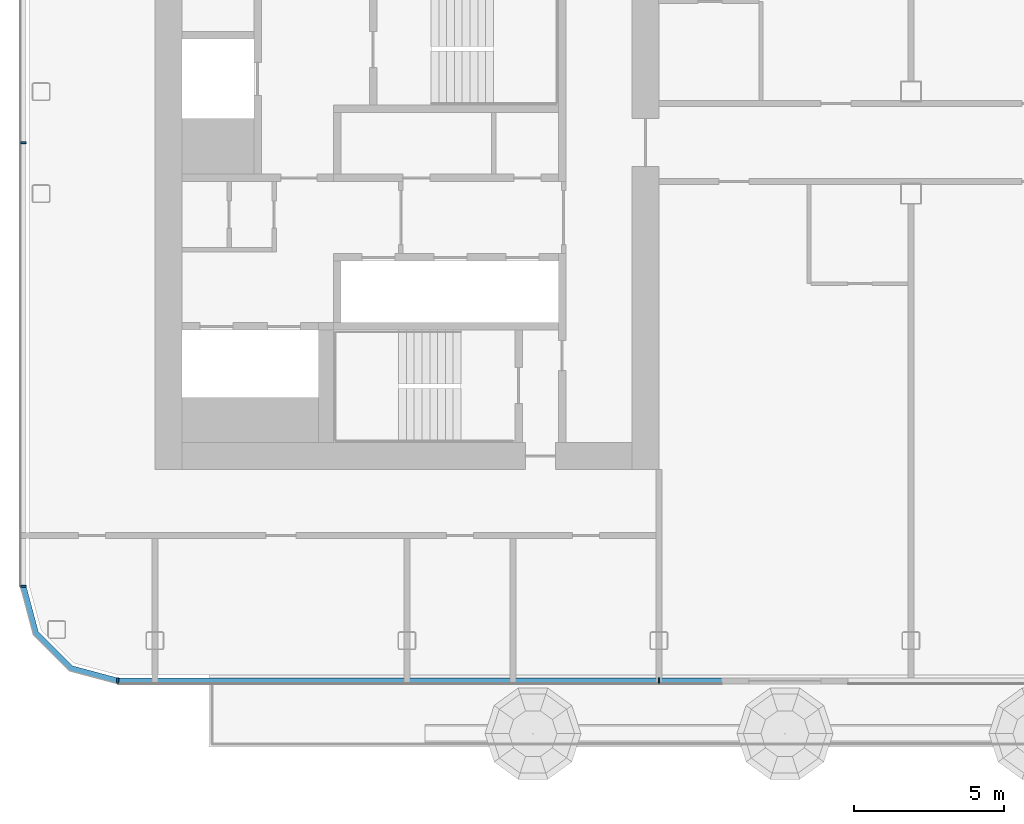
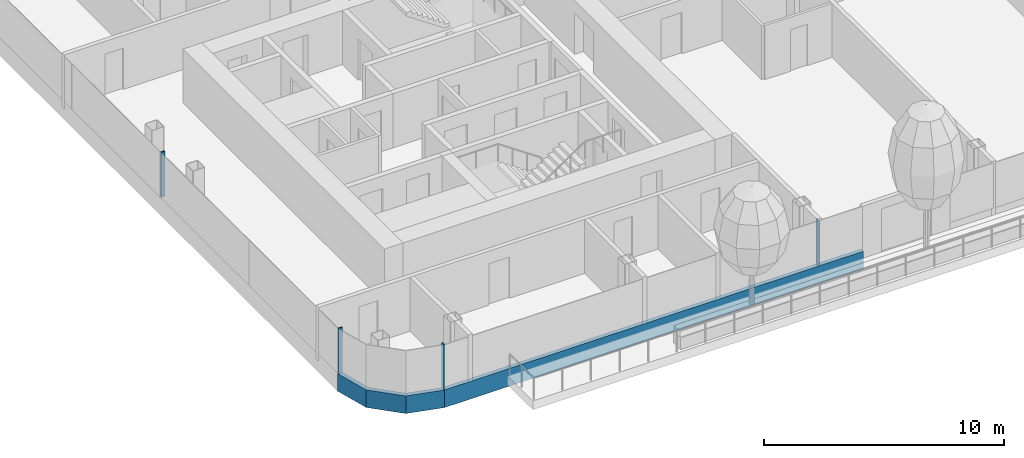
# One storey, part 2 of 28: 6 members, 3 elements without a shape of their own.
"""IFC4 building model written with IfcOpenShell, lengths in metres."""

from ifc_helpers import new_model, si_unit, direction, frame, origin, origin_2d, place, context, subcontext, project, spatial, polyline, rectangle, outline, extrude, material, layer, layer_set, material_profile, profile_set, type_object, element, aggregate, save


model = new_model("IFC4")

# Units and contexts
model_context = context("Model", 3, precision=1e-05, world=origin(), true_north=direction((0.0, 1.0)))
body_context = subcontext(model_context, "Body", "Model", "MODEL_VIEW")
ifc_project = project(units=[si_unit("LENGTHUNIT", "METRE"), si_unit("AREAUNIT", "SQUARE_METRE"), si_unit("VOLUMEUNIT", "CUBIC_METRE"), si_unit("PLANEANGLEUNIT", "RADIAN"), si_unit("MASSUNIT", "GRAM", prefix="KILO")], contexts=[model_context])

# Site, building, storey
site_placement = place(None, origin())
site = spatial("IfcSite", under=ifc_project, at=site_placement, CompositionType="ELEMENT")
building_placement = place(site_placement, origin())
building = spatial("IfcBuilding", under=site, at=building_placement, Name="Hakoniwa Tower and Hamabe Station Hall", CompositionType="ELEMENT")
storey_placement = place(building_placement, frame((0.0, 0.0, 218.60009765625)))
storey = spatial("IfcBuildingStorey", under=building, at=storey_placement, Name="L62", CompositionType="ELEMENT", Elevation=218.60009765625)

# Curtain wall, member
ifc_material_1 = material(Name="Dark low-e laminated glass", Category="glass")
ifc_layer = layer(ifc_material_1, 0.199951171875)
ifc_layer_set = layer_set([ifc_layer], Name="CW-1 UNITISED GUEST")
curtain_wall_type = type_object("IfcCurtainWallType", Name="CW-1 UNITISED GUEST", PredefinedType="NOTDEFINED", material=ifc_layer_set)
curtain_wall_1_placement = place(storey_placement, origin())
curtain_wall_1 = element("IfcCurtainWall", 1, at=curtain_wall_1_placement, inside=storey, type_object=curtain_wall_type, Name="CW-1 curtain wall", PredefinedType="NOTDEFINED")
ifc_material_2 = material(Name="Aluminium 6063-T5 black anodised", Category="aluminium")
ifc_material_profile_1 = material_profile(ifc_material_2, rectangle(XDim=0.199951171875, YDim=0.89990234375, at=origin_2d()), Name="CW SLAB-EDGE BAND 900X200")
ifc_profile_set_1 = profile_set([ifc_material_profile_1], Name="Aluminium 6063-T5 black anodised")
member_type_1 = type_object("IfcMemberType", Name="CW SLAB-EDGE BAND 900X200", PredefinedType="USERDEFINED", material=ifc_profile_set_1)
member_1_placement = place(storey_placement, frame((0.0, 0.0, -0.550048828125)))
member_1 = element("IfcMember", 2, at=member_1_placement, type_object=member_type_1, Name="CW-1 transom", ObjectType="TRANSOM", PredefinedType="USERDEFINED", context=body_context, shape_type="SweptSolid", body=[
    extrude(outline(polyline([(-38.10009765625, -12.28955078125), (-37.6669921875, -13.9052734375), (-36.455322265625, -15.116943359375), (-34.839599609375, -15.550048828125), (-34.787841796875, -15.35693359375), (-36.351806640625, -14.937744140625), (-37.48779296875, -13.8017578125), (-37.90673828125, -12.23779296875), (-38.10009765625, -12.28955078125)])), origin(), (0.0, 0.0, 1.0), 0.89990234375),
])
aggregate(curtain_wall_1, [member_1])

curtain_wall_2_placement = place(storey_placement, origin())
curtain_wall_2 = element("IfcCurtainWall", 3, at=curtain_wall_2_placement, inside=storey, type_object=curtain_wall_type, Name="CW-1 curtain wall", PredefinedType="NOTDEFINED")
member_2_placement = place(storey_placement, frame((-34.839599609375, -15.449951171875, -0.10009765625), z_axis=(1.0, 0.0, 0.0), x_axis=(0.0, 1.0, 0.0)))
member_2 = element("IfcMember", 4, at=member_2_placement, type_object=member_type_1, Name="CW-1 transom", ObjectType="TRANSOM", PredefinedType="USERDEFINED", context=body_context, shape_type="SweptSolid", body=[
    extrude(rectangle(XDim=0.199951171875, YDim=0.89990234375, at=origin_2d()), origin(), (0.0, 0.0, 1.0), 20.169677734375),
])

# Curtain wall, members
curtain_wall_3_placement = place(storey_placement, origin())
curtain_wall_3 = element("IfcCurtainWall", 5, at=curtain_wall_3_placement, inside=storey, type_object=curtain_wall_type, Name="CW-1 curtain wall", PredefinedType="NOTDEFINED")
ifc_material_3 = material(Name="Aluminium 6063-T5 black anodised", Category="aluminium")
ifc_material_profile_2 = material_profile(ifc_material_3, rectangle(XDim=0.06005859375, YDim=0.179931640625, at=origin_2d()), Name="CW-1 MULLION 60X180")
ifc_profile_set_2 = profile_set([ifc_material_profile_2], Name="Aluminium 6063-T5 black anodised")
member_type_2 = type_object("IfcMemberType", Name="CW-1 MULLION 60X180", PredefinedType="MULLION", material=ifc_profile_set_2)
member_3_placement = place(storey_placement, frame((-37.98193359375, 2.5, 0.349853515625), z_axis=(0.0, 0.0, 1.0), x_axis=(0.0, -1.0, 0.0)))
member_3 = element("IfcMember", 6, at=member_3_placement, type_object=member_type_2, Name="CW-1 mullion", PredefinedType="MULLION", context=body_context, shape_type="SweptSolid", body=[
    extrude(rectangle(XDim=0.06005859375, YDim=0.179931640625, at=origin_2d()), origin(), (0.0, 0.0, 1.0), 2.300048828125),
])
member_4_placement = place(storey_placement, frame((-37.98193359375, -12.28955078125, 0.349853515625), z_axis=(0.0, 0.0, 1.0), x_axis=(0.0, -1.0, 0.0)))
member_4 = element("IfcMember", 7, at=member_4_placement, type_object=member_type_2, Name="CW-1 mullion", PredefinedType="MULLION", context=body_context, shape_type="SweptSolid", body=[
    extrude(rectangle(XDim=0.06005859375, YDim=0.179931640625, at=origin_2d()), origin(), (0.0, 0.0, 1.0), 2.300048828125),
])
aggregate(curtain_wall_3, [member_3, member_4])

# Member
member_5_placement = place(storey_placement, frame((-34.839599609375, -15.431884765625, 0.349853515625), z_axis=(0.0, 0.0, 1.0), x_axis=(1.0, 0.0, 0.0)))
member_5 = element("IfcMember", 8, at=member_5_placement, type_object=member_type_2, Name="CW-1 mullion", PredefinedType="MULLION", context=body_context, shape_type="SweptSolid", body=[
    extrude(rectangle(XDim=0.06005859375, YDim=0.179931640625, at=origin_2d()), origin(), (0.0, 0.0, 1.0), 2.300048828125),
])

member_6_placement = place(storey_placement, frame((-16.800048828125, -15.431884765625, 0.349853515625), z_axis=(0.0, 0.0, 1.0), x_axis=(1.0, 0.0, 0.0)))
member_6 = element("IfcMember", 9, at=member_6_placement, type_object=member_type_2, Name="CW-1 mullion", PredefinedType="MULLION", context=body_context, shape_type="SweptSolid", body=[
    extrude(rectangle(XDim=0.06005859375, YDim=0.179931640625, at=origin_2d()), origin(), (0.0, 0.0, 1.0), 2.300048828125),
])

aggregate(curtain_wall_2, [member_5, member_6, member_2])

save(model, "model.ifc")
